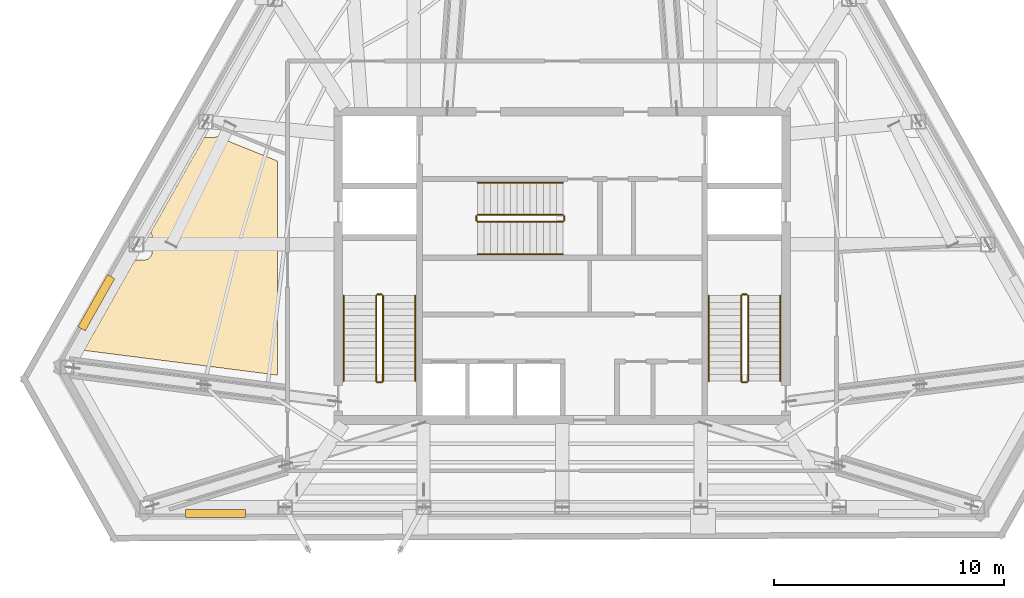
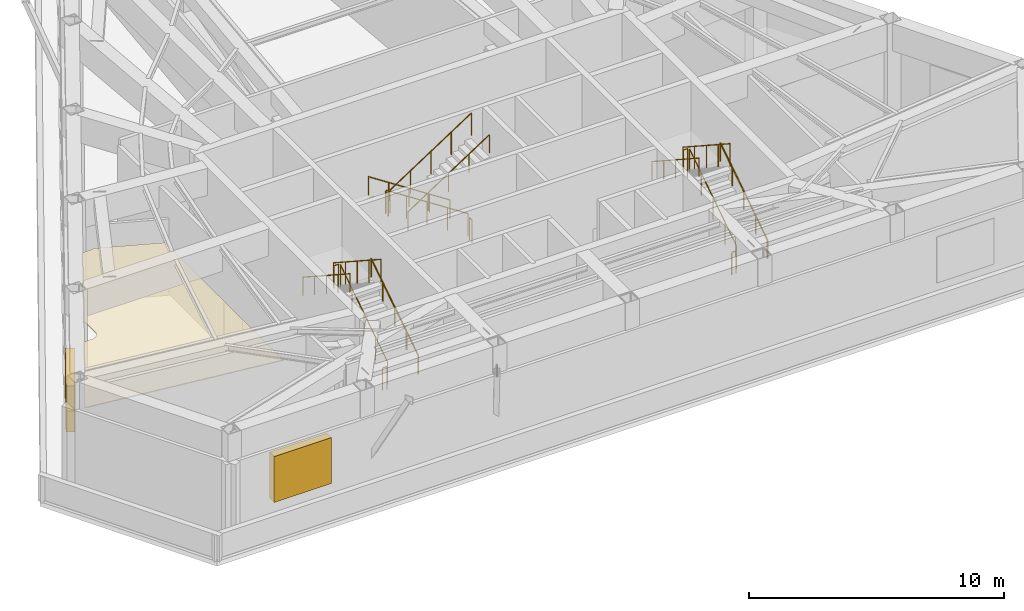
# One storey, part 12 of 13: 18 railings, 2 shading devices, 1 covering.
"""IFC4 building model written with IfcOpenShell, lengths in metres."""

import ifcopenshell
import ifcopenshell.guid

model = None  # the IFC model being written
_history = None  # IfcOwnerHistory: only IFC2X3 demands one
_inside = {}  # id of a spatial element -> (the spatial element, [elements in it])
_under = {}  # id of a project, library or spatial element -> (it, [spatial elements below it])
_declared = {}  # id of a project -> (the project, [libraries it declares])
_typed = {}  # id of a type object -> (the type object, [elements of that type])
_made_of = {}  # id of a material, layer set ... -> (it, [elements and type objects made of it])


def new_model(schema):
    """Start an empty IFC model of exactly this schema.

    Asked for "IFC4X3", IfcOpenShell would pick the latest addendum, in which some entities
    have other attributes; the version numbers below select the first issue.
    IFC2X3 requires an IfcOwnerHistory on every rooted entity: one is made here for all.
    """
    global model, _history
    if schema == "IFC4X3":
        model = ifcopenshell.file(schema_version=(4, 3, 0, 0))
    else:
        model = ifcopenshell.file(schema=schema)
    _inside.clear()
    _under.clear()
    _declared.clear()
    _typed.clear()
    _made_of.clear()
    _history = None
    if model.schema == "IFC2X3":
        org = make("IfcOrganization", Name="unknown")
        user = make(
            "IfcPersonAndOrganization",
            ThePerson=make("IfcPerson", FamilyName="unknown"),
            TheOrganization=org,
        )
        app = make(
            "IfcApplication",
            ApplicationDeveloper=org,
            Version="unknown",
            ApplicationFullName="unknown",
            ApplicationIdentifier="unknown",
        )
        _history = make(
            "IfcOwnerHistory",
            OwningUser=user,
            OwningApplication=app,
            ChangeAction="ADDED",
            CreationDate=0,
        )
    return model


def make(cls, **values):
    """One entity of the class cls with the attributes given. An attribute that is None is left unset."""
    return model.create_entity(
        cls, **{name: value for name, value in values.items() if value is not None}
    )


def rooted(cls, **values):
    """An entity with a GlobalId (a new one), such as an element, a storey or a relation."""
    return make(cls, GlobalId=ifcopenshell.guid.new(), OwnerHistory=_history, **values)


def si_unit(unit_type, name, prefix=None):
    """IfcSIUnit, for example si_unit("LENGTHUNIT", "METRE", prefix="MILLI")."""
    return make("IfcSIUnit", UnitType=unit_type, Prefix=prefix, Name=name)


def assignment(units):
    """IfcUnitAssignment: the units of a project."""
    return None if units is None else make("IfcUnitAssignment", Units=units)


def point(xyz):
    """IfcCartesianPoint."""
    return None if xyz is None else make("IfcCartesianPoint", Coordinates=xyz)


def direction(xyz):
    """IfcDirection."""
    return None if xyz is None else make("IfcDirection", DirectionRatios=xyz)


def frame(location, z_axis=None, x_axis=None):
    """IfcAxis2Placement3D, a coordinate frame: its origin and axes. An axis left out is left unset."""
    return make(
        "IfcAxis2Placement3D",
        Location=point(location),
        Axis=direction(z_axis),
        RefDirection=direction(x_axis),
    )


def frame_2d(location, x_axis=None):
    """IfcAxis2Placement2D, a coordinate frame in the plane: its origin and x axis."""
    return make(
        "IfcAxis2Placement2D", Location=point(location), RefDirection=direction(x_axis)
    )


def origin():
    """The frame at (0, 0, 0) with its axes left unset."""
    return frame((0.0, 0.0, 0.0))


def origin_2d():
    """The frame at (0, 0) in the plane with its x axis left unset."""
    return frame_2d((0.0, 0.0))


def place(relative_to, where):
    """IfcLocalPlacement: puts the frame where relative to a parent placement (None: the world)."""
    return make(
        "IfcLocalPlacement", PlacementRelTo=relative_to, RelativePlacement=where
    )


def context(
    kind, dimensions, precision=None, world=None, true_north=None, identifier=None
):
    """IfcGeometricRepresentationContext, for example the 3D "Model" context."""
    return make(
        "IfcGeometricRepresentationContext",
        ContextIdentifier=identifier,
        ContextType=kind,
        CoordinateSpaceDimension=dimensions,
        Precision=precision,
        WorldCoordinateSystem=world,
        TrueNorth=true_north,
    )


def subcontext(parent, identifier, kind, view, scale=None):
    """IfcGeometricRepresentationSubContext, for example "Body" below "Model"."""
    return make(
        "IfcGeometricRepresentationSubContext",
        ContextIdentifier=identifier,
        ContextType=kind,
        ParentContext=parent,
        TargetScale=scale,
        TargetView=view,
    )


def project(units=None, contexts=None):
    """IfcProject with its units and contexts."""
    return rooted(
        "IfcProject",
        Name="project",
        RepresentationContexts=contexts,
        UnitsInContext=assignment(units),
    )


def spatial(cls, under=None, at=None, **own):
    """A site, building, storey or space (cls), placed at a placement, below another one or the project."""
    s = rooted(cls, ObjectPlacement=at, **own)
    if under is not None:
        _under.setdefault(under.id(), (under, []))[1].append(s)
    return s


def polyline(points):
    """IfcPolyline through the points."""
    return make("IfcPolyline", Points=[point(p) for p in points])


def profile(cls, at=None, kind="AREA", **sizes):
    """A parametric profile (cls). Its sizes go by their IFC names, for example OverallWidth=200.0."""
    return make(cls, ProfileType=kind, Position=at, **sizes)


def rectangle(**sizes):
    """IfcRectangleProfileDef."""
    return profile("IfcRectangleProfileDef", **sizes)


def circle(**sizes):
    """IfcCircleProfileDef."""
    return profile("IfcCircleProfileDef", **sizes)


def outline(outer, holes=None, kind="AREA"):
    """IfcArbitraryClosedProfileDef: a profile drawn as a closed curve; with holes, ...WithVoids."""
    if holes is None:
        return make("IfcArbitraryClosedProfileDef", ProfileType=kind, OuterCurve=outer)
    return make(
        "IfcArbitraryProfileDefWithVoids",
        ProfileType=kind,
        OuterCurve=outer,
        InnerCurves=holes,
    )


def extrude(swept, where, along, depth):
    """IfcExtrudedAreaSolid: the profile swept, set in the frame where, extruded along a direction by depth."""
    return make(
        "IfcExtrudedAreaSolid",
        SweptArea=swept,
        Position=where,
        ExtrudedDirection=direction(along),
        Depth=depth,
    )


def shape(context_of_items, identifier, shape_type, items):
    """IfcShapeRepresentation: the items that make up one representation, for example the "Body"."""
    return make(
        "IfcShapeRepresentation",
        ContextOfItems=context_of_items,
        RepresentationIdentifier=identifier,
        RepresentationType=shape_type,
        Items=items,
    )


def material(Name=None, Category=None):
    """IfcMaterial."""
    return make("IfcMaterial", Name=Name, Category=Category)


def layer(
    of_material, thickness, ventilated=None, Name=None, Category=None, Priority=None
):
    """IfcMaterialLayer: one layer of a wall or slab, of a material (None: an air gap)."""
    return make(
        "IfcMaterialLayer",
        Material=of_material,
        LayerThickness=thickness,
        IsVentilated=ventilated,
        Name=Name,
        Category=Category,
        Priority=Priority,
    )


def layer_set(layers, Name=None):
    """IfcMaterialLayerSet."""
    return make("IfcMaterialLayerSet", MaterialLayers=layers, LayerSetName=Name)


def made_of(thing, what):
    """Note that an element or type object is made of a material, layer set ...; save() writes the relation."""
    if what is not None:
        _made_of.setdefault(what.id(), (what, []))[1].append(thing)
    return thing


def type_object(cls, material=None, **own):
    """A type object (cls), such as IfcWallType, which elements share."""
    return made_of(rooted(cls, **own), material)


def element(
    cls,
    number,
    at=None,
    inside=None,
    cuts=None,
    type_object=None,
    material=None,
    context=None,
    identifier="Body",
    shape_type=None,
    held_by="IfcProductDefinitionShape",
    body=None,
    shapes=None,
    **own,
):
    """One element of the class cls, such as IfcWall. Its Tag is "e" and its number.

    at: its placement. inside: the storey or other place that contains it. cuts: it is an
    opening in that element (IfcRelVoidsElement). A single representation is given by context,
    identifier, shape_type and body (its items); several are given by shapes. held_by: the class
    of the entity that holds the representations. save() writes the other relations.
    """
    e = rooted(cls, Tag="e%d" % number, ObjectPlacement=at, **own)
    if body is not None:
        shapes = [shape(context, identifier, shape_type, body)]
    if shapes is not None:
        e.Representation = make(held_by, Representations=shapes)
    if inside is not None:
        _inside.setdefault(inside.id(), (inside, []))[1].append(e)
    if cuts is not None:
        rooted(
            "IfcRelVoidsElement", RelatingBuildingElement=cuts, RelatedOpeningElement=e
        )
    if type_object is not None:
        _typed.setdefault(type_object.id(), (type_object, []))[1].append(e)
    return made_of(e, material)


def aggregate(whole, parts):
    """IfcRelAggregates: a whole, such as a stair, and the parts it consists of."""
    return rooted("IfcRelAggregates", RelatingObject=whole, RelatedObjects=parts)


def save(model, path):
    """Write the relations noted so far, then the file.

    IfcRelAggregates (storeys below a building ...), IfcRelContainedInSpatialStructure (elements
    in a storey), IfcRelDefinesByType, IfcRelAssociatesMaterial and IfcRelDeclares: one each for
    every whole, place, type object, material and project.
    """
    for whole, parts in _under.values():
        aggregate(whole, parts)
    for where, things in _inside.values():
        rooted(
            "IfcRelContainedInSpatialStructure",
            RelatedElements=things,
            RelatingStructure=where,
        )
    for kind, things in _typed.values():
        rooted("IfcRelDefinesByType", RelatedObjects=things, RelatingType=kind)
    for what, things in _made_of.values():
        rooted("IfcRelAssociatesMaterial", RelatedObjects=things, RelatingMaterial=what)
    for by, libraries in _declared.values():
        rooted("IfcRelDeclares", RelatingContext=by, RelatedDefinitions=libraries)
    model.write(path)


model = new_model("IFC4")

# Units and contexts
model_context = context("Model", 3, precision=1e-05, world=origin(), true_north=direction((0.0, 1.0)))
body_context = subcontext(model_context, "Body", "Model", "MODEL_VIEW")
ifc_project = project(units=[si_unit("LENGTHUNIT", "METRE"), si_unit("AREAUNIT", "SQUARE_METRE"), si_unit("VOLUMEUNIT", "CUBIC_METRE"), si_unit("PLANEANGLEUNIT", "RADIAN"), si_unit("MASSUNIT", "GRAM", prefix="KILO")], contexts=[model_context])

# Site, building, storey
site_placement = place(None, origin())
site = spatial("IfcSite", under=ifc_project, at=site_placement, CompositionType="ELEMENT")
building_placement = place(site_placement, origin())
building = spatial("IfcBuilding", under=site, at=building_placement, Name="Kavelnor Concourse Tower", CompositionType="ELEMENT")
storey_placement = place(building_placement, frame((0.0, 0.0, 234.300048828125)))
storey = spatial("IfcBuildingStorey", under=building, at=storey_placement, Name="L59", CompositionType="ELEMENT", Elevation=234.300048828125)

# Covering
ifc_material_1 = material(Name="Mineral fibre acoustic ceiling tile")
ifc_layer_1 = layer(ifc_material_1, 0.0400390625, Name="Mineral fibre acoustic ceiling tile")
ifc_layer_set_1 = layer_set([ifc_layer_1], Name="Mineral fibre acoustic ceiling tile")
covering_type = type_object("IfcCoveringType", Name="COV-CEILING-ACOUSTIC", PredefinedType="CEILING", material=ifc_layer_set_1)
covering_placement = place(storey_placement, frame((0.0, 0.0, 2.75)))
element("IfcCovering", 1, at=covering_placement, inside=storey, type_object=covering_type, Name="L59 Suspended Acoustic Ceiling", PredefinedType="CEILING", context=body_context, shape_type="SweptSolid", body=[
    extrude(outline(polyline([(22.4794921875, 21.672607421875), (22.870361328125, 21.672607421875), (22.897216796875, 21.673828125), (22.932373046875, 21.67919921875), (22.966552734375, 21.687744140625), (23.0, 21.69970703125), (23.022705078125, 21.71044921875), (25.657470703125, 20.644775390625), (25.657470703125, 11.3583984375), (17.2587890625, 12.4326171875), (19.471923828125, 16.349853515625), (19.86279296875, 16.349853515625), (19.889892578125, 16.35107421875), (19.9248046875, 16.356201171875), (19.959228515625, 16.364990234375), (19.992431640625, 16.376708984375), (20.0244140625, 16.391845703125), (20.0546875, 16.41015625), (20.083251953125, 16.43115234375), (20.109375, 16.455078125), (20.13330078125, 16.481201171875), (20.154296875, 16.509521484375), (20.172607421875, 16.539794921875), (20.1875, 16.572021484375), (20.199462890625, 16.605224609375), (20.2080078125, 16.639404296875), (20.21337890625, 16.674560546875), (20.214599609375, 16.701416015625), (20.214599609375, 17.358154296875), (20.21337890625, 17.385009765625), (20.2080078125, 17.420166015625), (20.199462890625, 17.454345703125), (20.1875, 17.48779296875), (20.172607421875, 17.519775390625), (20.154296875, 17.550048828125), (20.15185546875, 17.55322265625), (22.4794921875, 21.672607421875)])), origin(), (0.0, 0.0, 1.0), 0.0400390625),
])

# Railings
ifc_material_2 = material(Name="Steel Grade 350", Category="steel")
railing_type_1 = type_object("IfcRailingType", Name="RLG-GUARD-1100", PredefinedType="GUARDRAIL", material=ifc_material_2)
railing_1_placement = place(storey_placement, frame((30.22998046875, 11.10009765625, 0.185546875)))
element("IfcRailing", 2, at=railing_1_placement, inside=storey, type_object=railing_type_1, Name="L59 ST1 stair guard 1", PredefinedType="GUARDRAIL", context=body_context, shape_type="SweptSolid", body=[
    extrude(circle(Radius=0.02392578125, at=origin_2d()), frame((0.0, 0.0, 1.076171875), z_axis=(0.0, 0.837806046772, 0.545967973412), x_axis=(-1.0, 0.0, 0.0)), (0.0, 0.0, 1.0), 4.422119140625),
    extrude(circle(Radius=0.02099609375, at=origin_2d()), origin(), (0.0, 0.0, 1.0), 1.052001953125),
    extrude(circle(Radius=0.02099609375, at=origin_2d()), frame((0.0, 0.92626953125, 0.603515625)), (0.0, 0.0, 1.0), 1.052001953125),
    extrude(circle(Radius=0.02099609375, at=origin_2d()), frame((0.0, 1.8525390625, 1.20703125)), (0.0, 0.0, 1.0), 1.052001953125),
    extrude(circle(Radius=0.02099609375, at=origin_2d()), frame((0.0, 2.778564453125, 1.810791015625)), (0.0, 0.0, 1.0), 1.052001953125),
    extrude(circle(Radius=0.02099609375, at=origin_2d()), frame((0.0, 3.704833984375, 2.414306640625)), (0.0, 0.0, 1.0), 1.052001953125),
])
railing_2_placement = place(storey_placement, frame((30.179931640625, 14.85498046875, 2.599853515625)))
element("IfcRailing", 3, at=railing_2_placement, inside=storey, type_object=railing_type_1, Name="L59 ST1 stair guard 2", PredefinedType="GUARDRAIL", context=body_context, shape_type="SweptSolid", body=[
    extrude(circle(Radius=0.02392578125, at=origin_2d()), frame((0.0, 0.0, 1.076171875), z_axis=(-1.0, 0.0, 0.0), x_axis=(0.0, -1.0, 0.0)), (0.0, 0.0, 1.0), 0.199951171875),
    extrude(circle(Radius=0.02099609375, at=origin_2d()), origin(), (0.0, 0.0, 1.0), 1.052001953125),
    extrude(circle(Radius=0.02099609375, at=origin_2d()), frame((-0.199951171875, 0.0, 0.0)), (0.0, 0.0, 1.0), 1.052001953125),
])
railing_3_placement = place(storey_placement, frame((29.929931640625, 14.804931640625, 2.78564453125)))
element("IfcRailing", 4, at=railing_3_placement, inside=storey, type_object=railing_type_1, Name="L59 ST1 stair guard 3", PredefinedType="GUARDRAIL", context=body_context, shape_type="SweptSolid", body=[
    extrude(circle(Radius=0.02392578125, at=origin_2d()), frame((0.0, 0.0, 1.076171875), z_axis=(0.0, -0.837806046772, 0.545967973412), x_axis=(1.0, 0.0, 0.0)), (0.0, 0.0, 1.0), 4.422119140625),
    extrude(circle(Radius=0.02099609375, at=origin_2d()), origin(), (0.0, 0.0, 1.0), 1.052001953125),
    extrude(circle(Radius=0.02099609375, at=origin_2d()), frame((0.0, -0.92626953125, 0.603515625)), (0.0, 0.0, 1.0), 1.052001953125),
    extrude(circle(Radius=0.02099609375, at=origin_2d()), frame((0.0, -1.8525390625, 1.20703125)), (0.0, 0.0, 1.0), 1.052001953125),
    extrude(circle(Radius=0.02099609375, at=origin_2d()), frame((0.0, -2.778564453125, 1.810791015625)), (0.0, 0.0, 1.0), 1.052001953125),
    extrude(circle(Radius=0.02099609375, at=origin_2d()), frame((0.0, -3.704833984375, 2.414306640625)), (0.0, 0.0, 1.0), 1.052001953125),
])
railing_4_placement = place(storey_placement, frame((30.179931640625, 11.050048828125, 0.0)))
element("IfcRailing", 5, at=railing_4_placement, inside=storey, type_object=railing_type_1, Name="L59 ST1 stair guard 4", PredefinedType="GUARDRAIL", context=body_context, shape_type="SweptSolid", body=[
    extrude(circle(Radius=0.02392578125, at=origin_2d()), frame((0.0, 0.0, 1.076171875), z_axis=(-1.0, 0.0, 0.0), x_axis=(0.0, -1.0, 0.0)), (0.0, 0.0, 1.0), 0.199951171875),
    extrude(circle(Radius=0.02099609375, at=origin_2d()), origin(), (0.0, 0.0, 1.0), 1.052001953125),
    extrude(circle(Radius=0.02099609375, at=origin_2d()), frame((-0.199951171875, 0.0, 0.0)), (0.0, 0.0, 1.0), 1.052001953125),
])
railing_5_placement = place(storey_placement, frame((46.070068359375, 11.10009765625, 0.185546875)))
element("IfcRailing", 6, at=railing_5_placement, inside=storey, type_object=railing_type_1, Name="L59 ST2 stair guard 1", PredefinedType="GUARDRAIL", context=body_context, shape_type="SweptSolid", body=[
    extrude(circle(Radius=0.02392578125, at=origin_2d()), frame((0.0, 0.0, 1.076171875), z_axis=(0.0, 0.837806046772, 0.545967973412), x_axis=(-1.0, 0.0, 0.0)), (0.0, 0.0, 1.0), 4.422119140625),
    extrude(circle(Radius=0.02099609375, at=origin_2d()), origin(), (0.0, 0.0, 1.0), 1.052001953125),
    extrude(circle(Radius=0.02099609375, at=origin_2d()), frame((0.0, 0.92626953125, 0.603515625)), (0.0, 0.0, 1.0), 1.052001953125),
    extrude(circle(Radius=0.02099609375, at=origin_2d()), frame((0.0, 1.8525390625, 1.20703125)), (0.0, 0.0, 1.0), 1.052001953125),
    extrude(circle(Radius=0.02099609375, at=origin_2d()), frame((0.0, 2.778564453125, 1.810791015625)), (0.0, 0.0, 1.0), 1.052001953125),
    extrude(circle(Radius=0.02099609375, at=origin_2d()), frame((0.0, 3.704833984375, 2.414306640625)), (0.0, 0.0, 1.0), 1.052001953125),
])
railing_6_placement = place(storey_placement, frame((46.02001953125, 14.85498046875, 2.599853515625)))
element("IfcRailing", 7, at=railing_6_placement, inside=storey, type_object=railing_type_1, Name="L59 ST2 stair guard 2", PredefinedType="GUARDRAIL", context=body_context, shape_type="SweptSolid", body=[
    extrude(circle(Radius=0.02392578125, at=origin_2d()), frame((0.0, 0.0, 1.076171875), z_axis=(-1.0, 0.0, 0.0), x_axis=(0.0, -1.0, 0.0)), (0.0, 0.0, 1.0), 0.199951171875),
    extrude(circle(Radius=0.02099609375, at=origin_2d()), origin(), (0.0, 0.0, 1.0), 1.052001953125),
    extrude(circle(Radius=0.02099609375, at=origin_2d()), frame((-0.199951171875, 0.0, 0.0)), (0.0, 0.0, 1.0), 1.052001953125),
])
railing_7_placement = place(storey_placement, frame((45.77001953125, 14.804931640625, 2.78564453125)))
element("IfcRailing", 8, at=railing_7_placement, inside=storey, type_object=railing_type_1, Name="L59 ST2 stair guard 3", PredefinedType="GUARDRAIL", context=body_context, shape_type="SweptSolid", body=[
    extrude(circle(Radius=0.02392578125, at=origin_2d()), frame((0.0, 0.0, 1.076171875), z_axis=(0.0, -0.837806046772, 0.545967973412), x_axis=(1.0, 0.0, 0.0)), (0.0, 0.0, 1.0), 4.422119140625),
    extrude(circle(Radius=0.02099609375, at=origin_2d()), origin(), (0.0, 0.0, 1.0), 1.052001953125),
    extrude(circle(Radius=0.02099609375, at=origin_2d()), frame((0.0, -0.92626953125, 0.603515625)), (0.0, 0.0, 1.0), 1.052001953125),
    extrude(circle(Radius=0.02099609375, at=origin_2d()), frame((0.0, -1.8525390625, 1.20703125)), (0.0, 0.0, 1.0), 1.052001953125),
    extrude(circle(Radius=0.02099609375, at=origin_2d()), frame((0.0, -2.778564453125, 1.810791015625)), (0.0, 0.0, 1.0), 1.052001953125),
    extrude(circle(Radius=0.02099609375, at=origin_2d()), frame((0.0, -3.704833984375, 2.414306640625)), (0.0, 0.0, 1.0), 1.052001953125),
])
railing_8_placement = place(storey_placement, frame((46.02001953125, 11.050048828125, 0.0)))
element("IfcRailing", 9, at=railing_8_placement, inside=storey, type_object=railing_type_1, Name="L59 ST2 stair guard 4", PredefinedType="GUARDRAIL", context=body_context, shape_type="SweptSolid", body=[
    extrude(circle(Radius=0.02392578125, at=origin_2d()), frame((0.0, 0.0, 1.076171875), z_axis=(-1.0, 0.0, 0.0), x_axis=(0.0, -1.0, 0.0)), (0.0, 0.0, 1.0), 0.199951171875),
    extrude(circle(Radius=0.02099609375, at=origin_2d()), origin(), (0.0, 0.0, 1.0), 1.052001953125),
    extrude(circle(Radius=0.02099609375, at=origin_2d()), frame((-0.199951171875, 0.0, 0.0)), (0.0, 0.0, 1.0), 1.052001953125),
])
railing_9_placement = place(storey_placement, frame((38.0400390625, 18.31005859375, 0.185546875)))
element("IfcRailing", 10, at=railing_9_placement, inside=storey, type_object=railing_type_1, Name="L59 ST3 stair guard 1", PredefinedType="GUARDRAIL", context=body_context, shape_type="SweptSolid", body=[
    extrude(circle(Radius=0.02392578125, at=origin_2d()), frame((0.0, 0.0, 1.076171875), z_axis=(-0.837822502572, 0.0, 0.545942720607), x_axis=(0.0, -1.0, 0.0)), (0.0, 0.0, 1.0), 4.42236328125),
    extrude(circle(Radius=0.02099609375, at=origin_2d()), origin(), (0.0, 0.0, 1.0), 1.052001953125),
    extrude(circle(Radius=0.02099609375, at=origin_2d()), frame((-0.92626953125, 0.0, 0.603515625)), (0.0, 0.0, 1.0), 1.052001953125),
    extrude(circle(Radius=0.02099609375, at=origin_2d()), frame((-1.8525390625, 0.0, 1.20703125)), (0.0, 0.0, 1.0), 1.052001953125),
    extrude(circle(Radius=0.02099609375, at=origin_2d()), frame((-2.77880859375, 0.0, 1.810791015625)), (0.0, 0.0, 1.0), 1.052001953125),
    extrude(circle(Radius=0.02099609375, at=origin_2d()), frame((-3.705078125, 0.0, 2.414306640625)), (0.0, 0.0, 1.0), 1.052001953125),
])
railing_10_placement = place(storey_placement, frame((34.284912109375, 18.260009765625, 2.599853515625)))
element("IfcRailing", 11, at=railing_10_placement, inside=storey, type_object=railing_type_1, Name="L59 ST3 stair guard 2", PredefinedType="GUARDRAIL", context=body_context, shape_type="SweptSolid", body=[
    extrude(circle(Radius=0.02392578125, at=origin_2d()), frame((0.0, 0.0, 1.076171875), z_axis=(0.0, -1.0, 0.0), x_axis=(1.0, 0.0, 0.0)), (0.0, 0.0, 1.0), 0.199951171875),
    extrude(circle(Radius=0.02099609375, at=origin_2d()), origin(), (0.0, 0.0, 1.0), 1.052001953125),
    extrude(circle(Radius=0.02099609375, at=origin_2d()), frame((0.0, -0.199951171875, 0.0)), (0.0, 0.0, 1.0), 1.052001953125),
])
railing_11_placement = place(storey_placement, frame((34.3349609375, 18.010009765625, 2.78564453125)))
element("IfcRailing", 12, at=railing_11_placement, inside=storey, type_object=railing_type_1, Name="L59 ST3 stair guard 3", PredefinedType="GUARDRAIL", context=body_context, shape_type="SweptSolid", body=[
    extrude(circle(Radius=0.02392578125, at=origin_2d()), frame((0.0, 0.0, 1.076171875), z_axis=(0.837822502572, 0.0, 0.545942720607), x_axis=(0.0, 1.0, 0.0)), (0.0, 0.0, 1.0), 4.42236328125),
    extrude(circle(Radius=0.02099609375, at=origin_2d()), origin(), (0.0, 0.0, 1.0), 1.052001953125),
    extrude(circle(Radius=0.02099609375, at=origin_2d()), frame((0.92626953125, 0.0, 0.603515625)), (0.0, 0.0, 1.0), 1.052001953125),
    extrude(circle(Radius=0.02099609375, at=origin_2d()), frame((1.8525390625, 0.0, 1.20703125)), (0.0, 0.0, 1.0), 1.052001953125),
    extrude(circle(Radius=0.02099609375, at=origin_2d()), frame((2.77880859375, 0.0, 1.810791015625)), (0.0, 0.0, 1.0), 1.052001953125),
    extrude(circle(Radius=0.02099609375, at=origin_2d()), frame((3.705078125, 0.0, 2.414306640625)), (0.0, 0.0, 1.0), 1.052001953125),
])
railing_12_placement = place(storey_placement, frame((38.090087890625, 18.260009765625, 0.0)))
element("IfcRailing", 13, at=railing_12_placement, inside=storey, type_object=railing_type_1, Name="L59 ST3 stair guard 4", PredefinedType="GUARDRAIL", context=body_context, shape_type="SweptSolid", body=[
    extrude(circle(Radius=0.02392578125, at=origin_2d()), frame((0.0, 0.0, 1.076171875), z_axis=(0.0, -1.0, 0.0), x_axis=(1.0, 0.0, 0.0)), (0.0, 0.0, 1.0), 0.199951171875),
    extrude(circle(Radius=0.02099609375, at=origin_2d()), origin(), (0.0, 0.0, 1.0), 1.052001953125),
    extrude(circle(Radius=0.02099609375, at=origin_2d()), frame((0.0, -0.199951171875, 0.0)), (0.0, 0.0, 1.0), 1.052001953125),
])
railing_type_2 = type_object("IfcRailingType", Name="RLG-HANDRAIL-900", PredefinedType="HANDRAIL", material=ifc_material_2)
railing_13_placement = place(storey_placement, frame((31.6298828125, 11.10009765625, 0.185546875)))
element("IfcRailing", 14, at=railing_13_placement, inside=storey, type_object=railing_type_2, Name="L59 ST1 stair handrail 1", PredefinedType="HANDRAIL", context=body_context, shape_type="SweptSolid", body=[
    extrude(circle(Radius=0.02392578125, at=origin_2d()), frame((0.0, 0.0, 0.8759765625), z_axis=(0.0, 0.837806046772, 0.545967973412), x_axis=(-1.0, 0.0, 0.0)), (0.0, 0.0, 1.0), 4.422119140625),
    extrude(circle(Radius=0.02099609375, at=origin_2d()), origin(), (0.0, 0.0, 1.0), 0.851806640625),
    extrude(circle(Radius=0.02099609375, at=origin_2d()), frame((0.0, 0.92626953125, 0.603515625)), (0.0, 0.0, 1.0), 0.851806640625),
    extrude(circle(Radius=0.02099609375, at=origin_2d()), frame((0.0, 1.8525390625, 1.20703125)), (0.0, 0.0, 1.0), 0.851806640625),
    extrude(circle(Radius=0.02099609375, at=origin_2d()), frame((0.0, 2.778564453125, 1.810791015625)), (0.0, 0.0, 1.0), 0.851806640625),
    extrude(circle(Radius=0.02099609375, at=origin_2d()), frame((0.0, 3.704833984375, 2.414306640625)), (0.0, 0.0, 1.0), 0.851806640625),
])
railing_14_placement = place(storey_placement, frame((28.530029296875, 14.804931640625, 2.78564453125)))
element("IfcRailing", 15, at=railing_14_placement, inside=storey, type_object=railing_type_2, Name="L59 ST1 stair handrail 2", PredefinedType="HANDRAIL", context=body_context, shape_type="SweptSolid", body=[
    extrude(circle(Radius=0.02392578125, at=origin_2d()), frame((0.0, 0.0, 0.8759765625), z_axis=(0.0, -0.837806046772, 0.545967973412), x_axis=(1.0, 0.0, 0.0)), (0.0, 0.0, 1.0), 4.422119140625),
    extrude(circle(Radius=0.02099609375, at=origin_2d()), origin(), (0.0, 0.0, 1.0), 0.851806640625),
    extrude(circle(Radius=0.02099609375, at=origin_2d()), frame((0.0, -0.92626953125, 0.603515625)), (0.0, 0.0, 1.0), 0.851806640625),
    extrude(circle(Radius=0.02099609375, at=origin_2d()), frame((0.0, -1.8525390625, 1.20703125)), (0.0, 0.0, 1.0), 0.851806640625),
    extrude(circle(Radius=0.02099609375, at=origin_2d()), frame((0.0, -2.778564453125, 1.810791015625)), (0.0, 0.0, 1.0), 0.851806640625),
    extrude(circle(Radius=0.02099609375, at=origin_2d()), frame((0.0, -3.704833984375, 2.414306640625)), (0.0, 0.0, 1.0), 0.851806640625),
])
railing_15_placement = place(storey_placement, frame((47.469970703125, 11.10009765625, 0.185546875)))
element("IfcRailing", 16, at=railing_15_placement, inside=storey, type_object=railing_type_2, Name="L59 ST2 stair handrail 1", PredefinedType="HANDRAIL", context=body_context, shape_type="SweptSolid", body=[
    extrude(circle(Radius=0.02392578125, at=origin_2d()), frame((0.0, 0.0, 0.8759765625), z_axis=(0.0, 0.837806046772, 0.545967973412), x_axis=(-1.0, 0.0, 0.0)), (0.0, 0.0, 1.0), 4.422119140625),
    extrude(circle(Radius=0.02099609375, at=origin_2d()), origin(), (0.0, 0.0, 1.0), 0.851806640625),
    extrude(circle(Radius=0.02099609375, at=origin_2d()), frame((0.0, 0.92626953125, 0.603515625)), (0.0, 0.0, 1.0), 0.851806640625),
    extrude(circle(Radius=0.02099609375, at=origin_2d()), frame((0.0, 1.8525390625, 1.20703125)), (0.0, 0.0, 1.0), 0.851806640625),
    extrude(circle(Radius=0.02099609375, at=origin_2d()), frame((0.0, 2.778564453125, 1.810791015625)), (0.0, 0.0, 1.0), 0.851806640625),
    extrude(circle(Radius=0.02099609375, at=origin_2d()), frame((0.0, 3.704833984375, 2.414306640625)), (0.0, 0.0, 1.0), 0.851806640625),
])
railing_16_placement = place(storey_placement, frame((44.3701171875, 14.804931640625, 2.78564453125)))
element("IfcRailing", 17, at=railing_16_placement, inside=storey, type_object=railing_type_2, Name="L59 ST2 stair handrail 2", PredefinedType="HANDRAIL", context=body_context, shape_type="SweptSolid", body=[
    extrude(circle(Radius=0.02392578125, at=origin_2d()), frame((0.0, 0.0, 0.8759765625), z_axis=(0.0, -0.837806046772, 0.545967973412), x_axis=(1.0, 0.0, 0.0)), (0.0, 0.0, 1.0), 4.422119140625),
    extrude(circle(Radius=0.02099609375, at=origin_2d()), origin(), (0.0, 0.0, 1.0), 0.851806640625),
    extrude(circle(Radius=0.02099609375, at=origin_2d()), frame((0.0, -0.92626953125, 0.603515625)), (0.0, 0.0, 1.0), 0.851806640625),
    extrude(circle(Radius=0.02099609375, at=origin_2d()), frame((0.0, -1.8525390625, 1.20703125)), (0.0, 0.0, 1.0), 0.851806640625),
    extrude(circle(Radius=0.02099609375, at=origin_2d()), frame((0.0, -2.778564453125, 1.810791015625)), (0.0, 0.0, 1.0), 0.851806640625),
    extrude(circle(Radius=0.02099609375, at=origin_2d()), frame((0.0, -3.704833984375, 2.414306640625)), (0.0, 0.0, 1.0), 0.851806640625),
])
railing_17_placement = place(storey_placement, frame((38.0400390625, 19.7099609375, 0.185546875)))
element("IfcRailing", 18, at=railing_17_placement, inside=storey, type_object=railing_type_2, Name="L59 ST3 stair handrail 1", PredefinedType="HANDRAIL", context=body_context, shape_type="SweptSolid", body=[
    extrude(circle(Radius=0.02392578125, at=origin_2d()), frame((0.0, 0.0, 0.8759765625), z_axis=(-0.837822502572, 0.0, 0.545942720607), x_axis=(0.0, -1.0, 0.0)), (0.0, 0.0, 1.0), 4.42236328125),
    extrude(circle(Radius=0.02099609375, at=origin_2d()), origin(), (0.0, 0.0, 1.0), 0.851806640625),
    extrude(circle(Radius=0.02099609375, at=origin_2d()), frame((-0.92626953125, 0.0, 0.603515625)), (0.0, 0.0, 1.0), 0.851806640625),
    extrude(circle(Radius=0.02099609375, at=origin_2d()), frame((-1.8525390625, 0.0, 1.20703125)), (0.0, 0.0, 1.0), 0.851806640625),
    extrude(circle(Radius=0.02099609375, at=origin_2d()), frame((-2.77880859375, 0.0, 1.810791015625)), (0.0, 0.0, 1.0), 0.851806640625),
    extrude(circle(Radius=0.02099609375, at=origin_2d()), frame((-3.705078125, 0.0, 2.414306640625)), (0.0, 0.0, 1.0), 0.851806640625),
])
railing_18_placement = place(storey_placement, frame((34.3349609375, 16.610107421875, 2.78564453125)))
element("IfcRailing", 19, at=railing_18_placement, inside=storey, type_object=railing_type_2, Name="L59 ST3 stair handrail 2", PredefinedType="HANDRAIL", context=body_context, shape_type="SweptSolid", body=[
    extrude(circle(Radius=0.02392578125, at=origin_2d()), frame((0.0, 0.0, 0.8759765625), z_axis=(0.837822502572, 0.0, 0.545942720607), x_axis=(0.0, 1.0, 0.0)), (0.0, 0.0, 1.0), 4.42236328125),
    extrude(circle(Radius=0.02099609375, at=origin_2d()), origin(), (0.0, 0.0, 1.0), 0.851806640625),
    extrude(circle(Radius=0.02099609375, at=origin_2d()), frame((0.92626953125, 0.0, 0.603515625)), (0.0, 0.0, 1.0), 0.851806640625),
    extrude(circle(Radius=0.02099609375, at=origin_2d()), frame((1.8525390625, 0.0, 1.20703125)), (0.0, 0.0, 1.0), 0.851806640625),
    extrude(circle(Radius=0.02099609375, at=origin_2d()), frame((2.77880859375, 0.0, 1.810791015625)), (0.0, 0.0, 1.0), 0.851806640625),
    extrude(circle(Radius=0.02099609375, at=origin_2d()), frame((3.705078125, 0.0, 2.414306640625)), (0.0, 0.0, 1.0), 0.851806640625),
])

# Shading devices
ifc_material_3 = material(Name="Architectural bronze-anodised aluminium", Category="aluminium")
ifc_layer_2 = layer(ifc_material_3, 0.074951171875, Name="Architectural bronze-anodised aluminium")
ifc_layer_set_2 = layer_set([ifc_layer_2], Name="Architectural bronze-anodised aluminium")
shading_device_type = type_object("IfcShadingDeviceType", Name="SHD-PLANT-LOUVRE", PredefinedType="USERDEFINED", material=ifc_layer_set_2)
for number, where, z_axis, x_axis, name in (
    (20, (17.7958984375, 14.501220703125, 1.10009765625), (0.0, 0.0, 1.0), (0.491967775447, 0.870613408995, 0.0), "L59 Plant Acoustic Intake Louvre F0-B5"),
    (21, (22.970458984375, 5.353271484375, 1.10009765625), (0.0, 0.0, 1.0), (-1.0, 0.0, 0.0), "L59 Plant Acoustic Intake Louvre F1-B0"),
):
    element("IfcShadingDevice", number, at=place(storey_placement, frame(where, z_axis=z_axis, x_axis=x_axis)), inside=storey, type_object=shading_device_type, Name=name, ObjectType="LOUVRE", PredefinedType="USERDEFINED", context=body_context, shape_type="SweptSolid", body=[
        extrude(rectangle(XDim=2.60009765625, YDim=0.360107421875, at=origin_2d()), origin(), (0.0, 0.0, 1.0), 2.199951171875),
    ])

save(model, "model.ifc")
